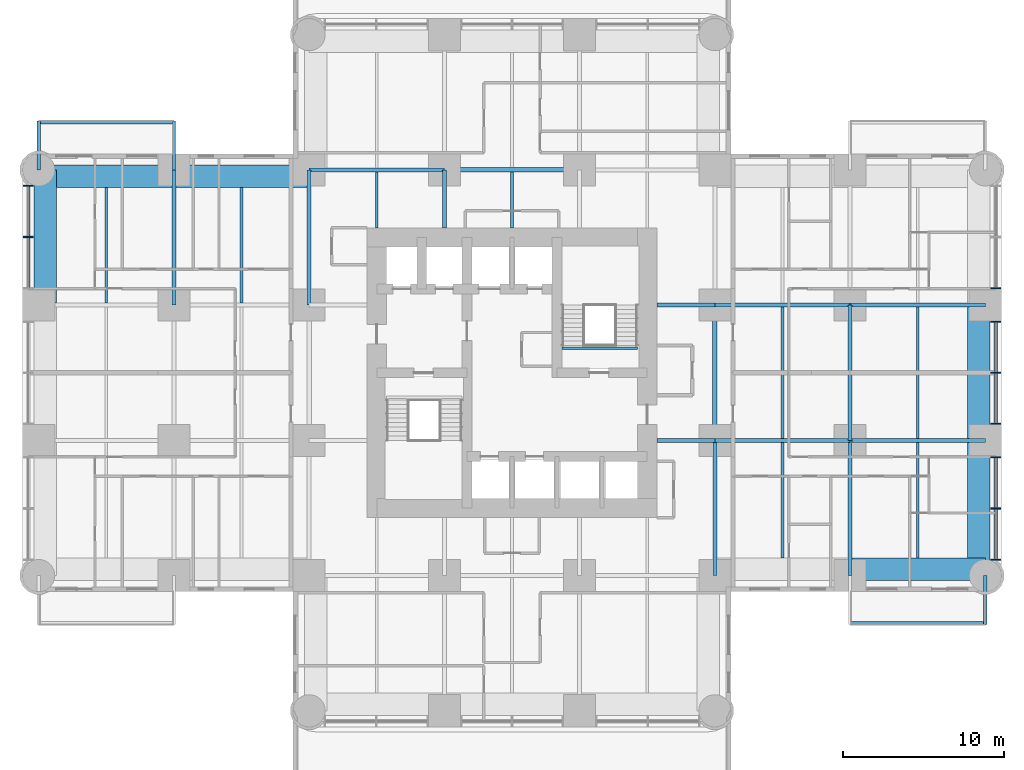
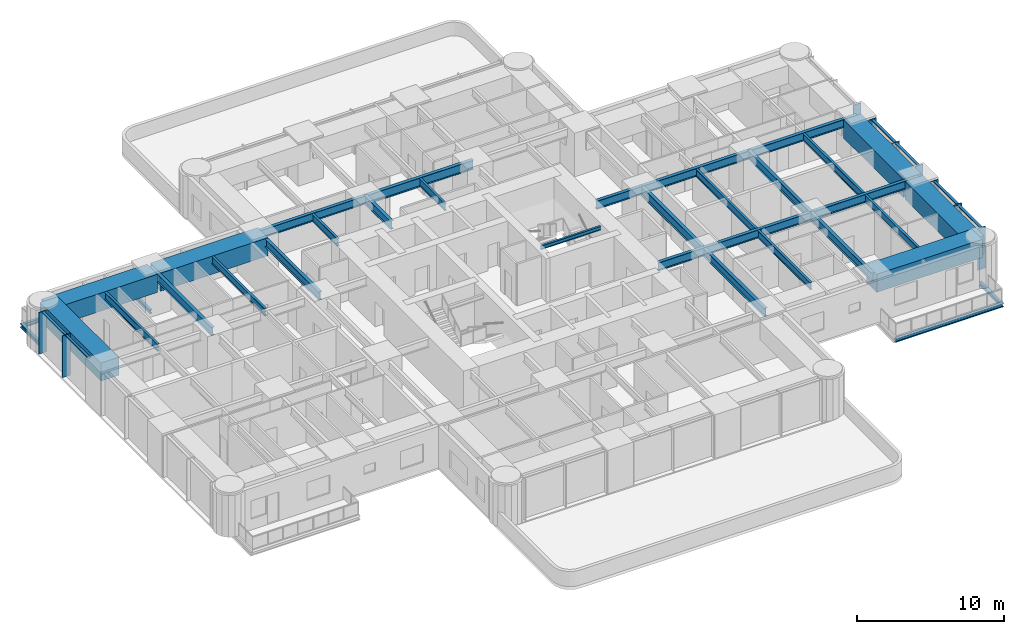
# One storey, part 3 of 14: 35 beams, 15 members, 2 elements without a shape of their own.
"""IFC4 building model written with IfcOpenShell, lengths in metres."""

from ifc_helpers import new_model, si_unit, direction, frame, origin, origin_2d, place, context, subcontext, project, spatial, rectangle, i_section, extrude, material, material_profile, profile_set, type_object, element, aggregate, save


model = new_model("IFC4")

# Units and contexts
model_context = context("Model", 3, precision=1e-05, world=origin(), true_north=direction((0.0, 1.0)))
body_context = subcontext(model_context, "Body", "Model", "MODEL_VIEW")
ifc_project = project(units=[si_unit("LENGTHUNIT", "METRE"), si_unit("AREAUNIT", "SQUARE_METRE"), si_unit("VOLUMEUNIT", "CUBIC_METRE"), si_unit("PLANEANGLEUNIT", "RADIAN"), si_unit("MASSUNIT", "GRAM", prefix="KILO")], contexts=[model_context])

# Site, building, storey
site_placement = place(None, origin())
site = spatial("IfcSite", under=ifc_project, at=site_placement, CompositionType="ELEMENT")
building_placement = place(site_placement, origin())
building = spatial("IfcBuilding", under=site, at=building_placement, Name="Torre Alcanfor", CompositionType="ELEMENT")
storey_placement = place(building_placement, frame((0.0, 0.0, 108.89990234375)))
storey = spatial("IfcBuildingStorey", under=building, at=storey_placement, Name="L27", CompositionType="ELEMENT", Elevation=108.89990234375)

# Beams
ifc_material_1 = material(Name="Steel ASTM A992 Grade 50", Category="steel")
ifc_material_profile_1 = material_profile(ifc_material_1, i_section(OverallWidth=0.205322265625, OverallDepth=0.309814453125, WebThickness=0.00927734375, FlangeThickness=0.016357421875, at=origin_2d()), Name="W12x50")
ifc_profile_set_1 = profile_set([ifc_material_profile_1], Name="Steel ASTM A992 Grade 50")
beam_type_1 = type_object("IfcBeamType", Name="Balcony cantilever beam W12x50", PredefinedType="BEAM", material=ifc_profile_set_1)
for number, where, z_axis, x_axis, name in (
    (1, (58.800048828125, 16.800048828125, -0.354736328125), (0.0, -1.0, 0.0), (1.0, 0.0, 0.0), "Balcony cantilever beam L27-E2 2"),
    (2, (8.39990234375, 42.0, -0.354736328125), (0.0, 1.0, 0.0), (-1.0, 0.0, 0.0), "Balcony cantilever beam L27-W2 1"),
    (3, (0.0, 42.0, -0.354736328125), (0.0, 1.0, 0.0), (-1.0, 0.0, 0.0), "Balcony cantilever beam L27-W2 2"),
):
    element("IfcBeam", number, at=place(storey_placement, frame(where, z_axis=z_axis, x_axis=x_axis)), inside=storey, type_object=beam_type_1, Name=name, PredefinedType="BEAM", context=body_context, shape_type="SweptSolid", body=[
        extrude(i_section(OverallWidth=0.205322265625, OverallDepth=0.309814453125, WebThickness=0.00927734375, FlangeThickness=0.016357421875, at=origin_2d()), origin(), (0.0, 0.0, 1.0), 3.050048828125),
    ])
ifc_material_2 = material(Name="Steel ASTM A992 Grade 50", Category="steel")
ifc_material_profile_2 = material_profile(ifc_material_2, i_section(OverallWidth=0.203369140625, OverallDepth=0.30224609375, WebThickness=0.007568359375, FlangeThickness=0.01318359375, at=origin_2d()), Name="W12x40")
ifc_profile_set_2 = profile_set([ifc_material_profile_2], Name="Steel ASTM A992 Grade 50")
beam_type_2 = type_object("IfcBeamType", Name="Balcony edge trimmer W12x40", PredefinedType="BEAM", material=ifc_profile_set_2)
beam_1_placement = place(storey_placement, frame((50.39990234375, 13.851806640625, -0.35107421875), z_axis=(1.0, 0.0, 0.0), x_axis=(0.0, 1.0, 0.0)))
element("IfcBeam", 4, at=beam_1_placement, inside=storey, type_object=beam_type_2, Name="Balcony edge trimmer L27-E2", PredefinedType="BEAM", context=body_context, shape_type="SweptSolid", body=[
    extrude(i_section(OverallWidth=0.203369140625, OverallDepth=0.30224609375, WebThickness=0.007568359375, FlangeThickness=0.01318359375, at=origin_2d()), origin(), (0.0, 0.0, 1.0), 8.400146484375),
])
beam_2_placement = place(storey_placement, frame((8.39990234375, 44.9482421875, -0.35107421875), z_axis=(-1.0, 0.0, 0.0), x_axis=(0.0, -1.0, 0.0)))
element("IfcBeam", 5, at=beam_2_placement, inside=storey, type_object=beam_type_2, Name="Balcony edge trimmer L27-W2", PredefinedType="BEAM", context=body_context, shape_type="SweptSolid", body=[
    extrude(i_section(OverallWidth=0.203369140625, OverallDepth=0.30224609375, WebThickness=0.007568359375, FlangeThickness=0.01318359375, at=origin_2d()), origin(), (0.0, 0.0, 1.0), 8.39990234375),
])

# Curtain wall, members
ifc_material_3 = material(Name="Aluminium and glass", Category="aluminium")
curtain_wall_type = type_object("IfcCurtainWallType", Name="CW-A unitised apartment glazing with vertical FIN", PredefinedType="NOTDEFINED", material=ifc_material_3)
curtain_wall_1_placement = place(storey_placement, origin())
curtain_wall_1 = element("IfcCurtainWall", 6, at=curtain_wall_1_placement, inside=storey, type_object=curtain_wall_type, Name="Curtain wall CW-A L27 2", PredefinedType="NOTDEFINED")
ifc_material_4 = material(Name="Bronze anodised aluminium", Category="aluminium")
ifc_material_profile_3 = material_profile(ifc_material_4, rectangle(XDim=0.60009765625, YDim=0.06494140625, at=origin_2d()), Name="CW-A mullion 65x600")
ifc_profile_set_3 = profile_set([ifc_material_profile_3], Name="Bronze anodised aluminium")
member_type_1 = type_object("IfcMemberType", Name="CW-A mullion with vertical FIN 65x600", PredefinedType="MULLION", material=ifc_profile_set_3)
member_1_placement = place(storey_placement, frame((-0.64990234375, 41.025390625, 0.0), z_axis=(0.0, 0.0, 1.0), x_axis=(1.0, 0.0, 0.0)))
member_1 = element("IfcMember", 7, at=member_1_placement, type_object=member_type_1, Name="CW-A mullion 1.1", PredefinedType="MULLION", context=body_context, shape_type="SweptSolid", body=[
    extrude(rectangle(XDim=0.60009765625, YDim=0.06494140625, at=origin_2d()), origin(), (0.0, 0.0, 1.0), 3.4501953125),
])
member_2_placement = place(storey_placement, frame((-0.64990234375, 37.83154296875, 0.0), z_axis=(0.0, 0.0, 1.0), x_axis=(1.0, 0.0, 0.0)))
member_2 = element("IfcMember", 8, at=member_2_placement, type_object=member_type_1, Name="CW-A mullion 1.2", PredefinedType="MULLION", context=body_context, shape_type="SweptSolid", body=[
    extrude(rectangle(XDim=0.60009765625, YDim=0.06494140625, at=origin_2d()), origin(), (0.0, 0.0, 1.0), 3.4501953125),
])

curtain_wall_2_placement = place(storey_placement, origin())
curtain_wall_2 = element("IfcCurtainWall", 9, at=curtain_wall_2_placement, inside=storey, type_object=curtain_wall_type, Name="Curtain wall CW-A L27 8", PredefinedType="NOTDEFINED")
member_3_placement = place(storey_placement, frame((59.449951171875, 17.7744140625, 0.0), z_axis=(0.0, 0.0, 1.0), x_axis=(-1.0, 0.0, 0.0)))
member_3 = element("IfcMember", 10, at=member_3_placement, type_object=member_type_1, Name="CW-A mullion 1.1", PredefinedType="MULLION", context=body_context, shape_type="SweptSolid", body=[
    extrude(rectangle(XDim=0.60009765625, YDim=0.06494140625, at=origin_2d()), origin(), (0.0, 0.0, 1.0), 3.4501953125),
])
member_4_placement = place(storey_placement, frame((59.449951171875, 20.968505859375, 0.0), z_axis=(0.0, 0.0, 1.0), x_axis=(-1.0, 0.0, 0.0)))
member_4 = element("IfcMember", 11, at=member_4_placement, type_object=member_type_1, Name="CW-A mullion 1.2", PredefinedType="MULLION", context=body_context, shape_type="SweptSolid", body=[
    extrude(rectangle(XDim=0.60009765625, YDim=0.06494140625, at=origin_2d()), origin(), (0.0, 0.0, 1.0), 3.4501953125),
])
member_5_placement = place(storey_placement, frame((59.449951171875, 24.16259765625, 0.0), z_axis=(0.0, 0.0, 1.0), x_axis=(-1.0, 0.0, 0.0)))
member_5 = element("IfcMember", 12, at=member_5_placement, type_object=member_type_1, Name="CW-A mullion 1.3", PredefinedType="MULLION", context=body_context, shape_type="SweptSolid", body=[
    extrude(rectangle(XDim=0.60009765625, YDim=0.06494140625, at=origin_2d()), origin(), (0.0, 0.0, 1.0), 3.4501953125),
])
member_6_placement = place(storey_placement, frame((59.449951171875, 26.237548828125, 0.0), z_axis=(0.0, 0.0, 1.0), x_axis=(-1.0, 0.0, 0.0)))
member_6 = element("IfcMember", 13, at=member_6_placement, type_object=member_type_1, Name="CW-A mullion 2.1", PredefinedType="MULLION", context=body_context, shape_type="SweptSolid", body=[
    extrude(rectangle(XDim=0.60009765625, YDim=0.06494140625, at=origin_2d()), origin(), (0.0, 0.0, 1.0), 3.4501953125),
])
member_7_placement = place(storey_placement, frame((59.449951171875, 29.39990234375, 0.0), z_axis=(0.0, 0.0, 1.0), x_axis=(-1.0, 0.0, 0.0)))
member_7 = element("IfcMember", 14, at=member_7_placement, type_object=member_type_1, Name="CW-A mullion 2.2", PredefinedType="MULLION", context=body_context, shape_type="SweptSolid", body=[
    extrude(rectangle(XDim=0.60009765625, YDim=0.06494140625, at=origin_2d()), origin(), (0.0, 0.0, 1.0), 3.4501953125),
])
member_8_placement = place(storey_placement, frame((59.449951171875, 32.5625, 0.0), z_axis=(0.0, 0.0, 1.0), x_axis=(-1.0, 0.0, 0.0)))
member_8 = element("IfcMember", 15, at=member_8_placement, type_object=member_type_1, Name="CW-A mullion 2.3", PredefinedType="MULLION", context=body_context, shape_type="SweptSolid", body=[
    extrude(rectangle(XDim=0.60009765625, YDim=0.06494140625, at=origin_2d()), origin(), (0.0, 0.0, 1.0), 3.4501953125),
])
member_9_placement = place(storey_placement, frame((59.449951171875, 34.637451171875, 0.0), z_axis=(0.0, 0.0, 1.0), x_axis=(-1.0, 0.0, 0.0)))
member_9 = element("IfcMember", 16, at=member_9_placement, type_object=member_type_1, Name="CW-A mullion 3.1", PredefinedType="MULLION", context=body_context, shape_type="SweptSolid", body=[
    extrude(rectangle(XDim=0.60009765625, YDim=0.06494140625, at=origin_2d()), origin(), (0.0, 0.0, 1.0), 3.4501953125),
])

# Member
ifc_material_5 = material(Name="Extruded aluminium", Category="aluminium")
ifc_material_profile_4 = material_profile(ifc_material_5, rectangle(XDim=0.199951171875, YDim=0.06494140625, at=origin_2d()), Name="CW-A transom 200x65")
ifc_profile_set_4 = profile_set([ifc_material_profile_4], Name="Extruded aluminium")
member_type_2 = type_object("IfcMemberType", Name="CW-A transom 65x200", PredefinedType="USERDEFINED", material=ifc_profile_set_4)
member_10_placement = place(storey_placement, frame((-0.64990234375, 40.992919921875, 3.41748046875), z_axis=(0.0, -1.0, 0.0), x_axis=(1.0, 0.0, 0.0)))
member_10 = element("IfcMember", 17, at=member_10_placement, type_object=member_type_2, Name="CW-A transom 1.1.2", ObjectType="TRANSOM", PredefinedType="USERDEFINED", context=body_context, shape_type="SweptSolid", body=[
    extrude(rectangle(XDim=0.199951171875, YDim=0.06494140625, at=origin_2d()), origin(), (0.0, 0.0, 1.0), 3.12890625),
])

member_11_placement = place(storey_placement, frame((-0.64990234375, 37.799072265625, 3.41748046875), z_axis=(0.0, -1.0, 0.0), x_axis=(1.0, 0.0, 0.0)))
member_11 = element("IfcMember", 18, at=member_11_placement, type_object=member_type_2, Name="CW-A transom 1.2.2", ObjectType="TRANSOM", PredefinedType="USERDEFINED", context=body_context, shape_type="SweptSolid", body=[
    extrude(rectangle(XDim=0.199951171875, YDim=0.06494140625, at=origin_2d()), origin(), (0.0, 0.0, 1.0), 3.129150390625),
])

aggregate(curtain_wall_1, [member_1, member_2, member_10, member_11])

member_12_placement = place(storey_placement, frame((59.449951171875, 17.806884765625, 3.41748046875), z_axis=(0.0, 1.0, 0.0), x_axis=(-1.0, 0.0, 0.0)))
member_12 = element("IfcMember", 19, at=member_12_placement, type_object=member_type_2, Name="CW-A transom 1.1.2", ObjectType="TRANSOM", PredefinedType="USERDEFINED", context=body_context, shape_type="SweptSolid", body=[
    extrude(rectangle(XDim=0.199951171875, YDim=0.06494140625, at=origin_2d()), origin(), (0.0, 0.0, 1.0), 3.129150390625),
])

member_13_placement = place(storey_placement, frame((59.449951171875, 21.0009765625, 3.41748046875), z_axis=(0.0, 1.0, 0.0), x_axis=(-1.0, 0.0, 0.0)))
member_13 = element("IfcMember", 20, at=member_13_placement, type_object=member_type_2, Name="CW-A transom 1.2.2", ObjectType="TRANSOM", PredefinedType="USERDEFINED", context=body_context, shape_type="SweptSolid", body=[
    extrude(rectangle(XDim=0.199951171875, YDim=0.06494140625, at=origin_2d()), origin(), (0.0, 0.0, 1.0), 3.12890625),
])

member_14_placement = place(storey_placement, frame((59.449951171875, 26.27001953125, 3.41748046875), z_axis=(0.0, 1.0, 0.0), x_axis=(-1.0, 0.0, 0.0)))
member_14 = element("IfcMember", 21, at=member_14_placement, type_object=member_type_2, Name="CW-A transom 2.1.2", ObjectType="TRANSOM", PredefinedType="USERDEFINED", context=body_context, shape_type="SweptSolid", body=[
    extrude(rectangle(XDim=0.199951171875, YDim=0.06494140625, at=origin_2d()), origin(), (0.0, 0.0, 1.0), 3.097412109375),
])

member_15_placement = place(storey_placement, frame((59.449951171875, 29.4326171875, 3.41748046875), z_axis=(0.0, 1.0, 0.0), x_axis=(-1.0, 0.0, 0.0)))
member_15 = element("IfcMember", 22, at=member_15_placement, type_object=member_type_2, Name="CW-A transom 2.2.2", ObjectType="TRANSOM", PredefinedType="USERDEFINED", context=body_context, shape_type="SweptSolid", body=[
    extrude(rectangle(XDim=0.199951171875, YDim=0.06494140625, at=origin_2d()), origin(), (0.0, 0.0, 1.0), 3.097412109375),
])

aggregate(curtain_wall_2, [member_3, member_4, member_5, member_12, member_13, member_6, member_7, member_8, member_14, member_15, member_9])

# Beams
ifc_material_6 = material(Name="Steel ASTM A992 Grade 50", Category="steel")
ifc_material_profile_5 = material_profile(ifc_material_6, i_section(OverallWidth=0.25390625, OverallDepth=0.683349609375, WebThickness=0.012451171875, FlangeThickness=0.01904296875, at=origin_2d()), Name="W27x94")
ifc_profile_set_5 = profile_set([ifc_material_profile_5], Name="Steel ASTM A992 Grade 50")
beam_type_3 = type_object("IfcBeamType", Name="Girder W27x94", PredefinedType="BEAM", material=ifc_profile_set_5)
beam_3_placement = place(storey_placement, frame((42.0, 25.199951171875, 3.1083984375), z_axis=(1.0, 0.0, 0.0), x_axis=(0.0, 1.0, 0.0)))
element("IfcBeam", 23, at=beam_3_placement, inside=storey, type_object=beam_type_3, Name="Beam 6F-7F under L28", PredefinedType="BEAM", context=body_context, shape_type="SweptSolid", body=[
    extrude(i_section(OverallWidth=0.25390625, OverallDepth=0.683349609375, WebThickness=0.012451171875, FlangeThickness=0.01904296875, at=origin_2d()), origin(), (0.0, 0.0, 1.0), 8.39990234375),
])
beam_4_placement = place(storey_placement, frame((50.39990234375, 25.199951171875, 3.1083984375), z_axis=(1.0, 0.0, 0.0), x_axis=(0.0, 1.0, 0.0)))
element("IfcBeam", 24, at=beam_4_placement, inside=storey, type_object=beam_type_3, Name="Beam 7F-8F under L28", PredefinedType="BEAM", context=body_context, shape_type="SweptSolid", body=[
    extrude(i_section(OverallWidth=0.25390625, OverallDepth=0.683349609375, WebThickness=0.012451171875, FlangeThickness=0.01904296875, at=origin_2d()), origin(), (0.0, 0.0, 1.0), 8.400146484375),
])
beam_5_placement = place(storey_placement, frame((42.0, 33.60009765625, 3.1083984375), z_axis=(1.0, 0.0, 0.0), x_axis=(0.0, 1.0, 0.0)))
element("IfcBeam", 25, at=beam_5_placement, inside=storey, type_object=beam_type_3, Name="Beam 6G-7G under L28", PredefinedType="BEAM", context=body_context, shape_type="SweptSolid", body=[
    extrude(i_section(OverallWidth=0.25390625, OverallDepth=0.683349609375, WebThickness=0.012451171875, FlangeThickness=0.01904296875, at=origin_2d()), origin(), (0.0, 0.0, 1.0), 8.39990234375),
])
beam_6_placement = place(storey_placement, frame((50.39990234375, 33.60009765625, 3.1083984375), z_axis=(1.0, 0.0, 0.0), x_axis=(0.0, 1.0, 0.0)))
element("IfcBeam", 26, at=beam_6_placement, inside=storey, type_object=beam_type_3, Name="Beam 7G-8G under L28", PredefinedType="BEAM", context=body_context, shape_type="SweptSolid", body=[
    extrude(i_section(OverallWidth=0.25390625, OverallDepth=0.683349609375, WebThickness=0.012451171875, FlangeThickness=0.01904296875, at=origin_2d()), origin(), (0.0, 0.0, 1.0), 8.400146484375),
])
for number, where, z_axis, x_axis, name in (
    (27, (16.800048828125, 42.0, 3.1083984375), (1.0, 0.0, 0.0), (0.0, 1.0, 0.0), "Beam 3H-4H under L28"),
    (28, (8.39990234375, 33.60009765625, 3.1083984375), (0.0, 1.0, 0.0), (-1.0, 0.0, 0.0), "Beam 2G-2H under L28"),
    (29, (16.800048828125, 33.60009765625, 3.1083984375), (0.0, 1.0, 0.0), (-1.0, 0.0, 0.0), "Beam 3G-3H under L28"),
    (30, (42.0, 16.800048828125, 3.1083984375), (0.0, 1.0, 0.0), (-1.0, 0.0, 0.0), "Beam 6E-6F under L28"),
    (31, (50.39990234375, 16.800048828125, 3.1083984375), (0.0, 1.0, 0.0), (-1.0, 0.0, 0.0), "Beam 7E-7F under L28"),
):
    element("IfcBeam", number, at=place(storey_placement, frame(where, z_axis=z_axis, x_axis=x_axis)), inside=storey, type_object=beam_type_3, Name=name, PredefinedType="BEAM", context=body_context, shape_type="SweptSolid", body=[
        extrude(i_section(OverallWidth=0.25390625, OverallDepth=0.683349609375, WebThickness=0.012451171875, FlangeThickness=0.01904296875, at=origin_2d()), origin(), (0.0, 0.0, 1.0), 8.39990234375),
    ])
beam_7_placement = place(storey_placement, frame((50.39990234375, 25.199951171875, 3.1083984375), z_axis=(0.0, 1.0, 0.0), x_axis=(-1.0, 0.0, 0.0)))
element("IfcBeam", 32, at=beam_7_placement, inside=storey, type_object=beam_type_3, Name="Beam 7F-7G under L28", PredefinedType="BEAM", context=body_context, shape_type="SweptSolid", body=[
    extrude(i_section(OverallWidth=0.25390625, OverallDepth=0.683349609375, WebThickness=0.012451171875, FlangeThickness=0.01904296875, at=origin_2d()), origin(), (0.0, 0.0, 1.0), 8.400146484375),
])
ifc_material_7 = material(Name="Steel ASTM A992 Grade 50", Category="steel")
ifc_material_profile_6 = material_profile(ifc_material_7, i_section(OverallWidth=0.2666015625, OverallDepth=0.7568359375, WebThickness=0.013916015625, FlangeThickness=0.019287109375, at=origin_2d()), Name="W30x108")
ifc_profile_set_6 = profile_set([ifc_material_profile_6], Name="Steel ASTM A992 Grade 50")
beam_type_4 = type_object("IfcBeamType", Name="Girder W30x108", PredefinedType="BEAM", material=ifc_profile_set_6)
for number, where, z_axis, x_axis, name in (
    (33, (25.199951171875, 42.0, 3.071533203125), (1.0, 0.0, 0.0), (0.0, 1.0, 0.0), "Beam 4H-5H under L28"),
    (34, (42.0, 25.199951171875, 3.071533203125), (0.0, 1.0, 0.0), (-1.0, 0.0, 0.0), "Beam 6F-6G under L28"),
):
    element("IfcBeam", number, at=place(storey_placement, frame(where, z_axis=z_axis, x_axis=x_axis)), inside=storey, type_object=beam_type_4, Name=name, PredefinedType="BEAM", context=body_context, shape_type="SweptSolid", body=[
        extrude(i_section(OverallWidth=0.2666015625, OverallDepth=0.7568359375, WebThickness=0.013916015625, FlangeThickness=0.019287109375, at=origin_2d()), origin(), (0.0, 0.0, 1.0), 8.400146484375),
    ])
ifc_material_8 = material(Name="Steel ASTM A992 Grade 50", Category="steel")
ifc_material_profile_7 = material_profile(ifc_material_8, i_section(OverallWidth=0.25390625, OverallDepth=0.683349609375, WebThickness=0.012451171875, FlangeThickness=0.01904296875, at=origin_2d()), Name="W27x94")
ifc_profile_set_7 = profile_set([ifc_material_profile_7], Name="Steel ASTM A992 Grade 50")
beam_type_5 = type_object("IfcBeamType", Name="Girder, part bay W27x94", PredefinedType="BEAM", material=ifc_profile_set_7)
for number, where, z_axis, x_axis, name in (
    (35, (25.199951171875, 42.0, 3.1083984375), (0.0, -1.0, 0.0), (1.0, 0.0, 0.0), "Beam 4H-438_4 under L28"),
    (36, (42.0, 25.199951171875, 3.1083984375), (-1.0, 0.0, 0.0), (0.0, -1.0, 0.0), "Beam 6F-38_4F under L28"),
    (37, (42.0, 33.60009765625, 3.1083984375), (-1.0, 0.0, 0.0), (0.0, -1.0, 0.0), "Beam 6G-38_4G under L28"),
):
    element("IfcBeam", number, at=place(storey_placement, frame(where, z_axis=z_axis, x_axis=x_axis)), inside=storey, type_object=beam_type_5, Name=name, PredefinedType="BEAM", context=body_context, shape_type="SweptSolid", body=[
        extrude(i_section(OverallWidth=0.25390625, OverallDepth=0.683349609375, WebThickness=0.012451171875, FlangeThickness=0.01904296875, at=origin_2d()), origin(), (0.0, 0.0, 1.0), 3.60009765625),
    ])
ifc_material_9 = material(Name="Concrete f'c 70 MPa", Category="concrete")
ifc_material_profile_8 = material_profile(ifc_material_9, rectangle(XDim=1.39990234375, YDim=1.5, at=origin_2d()), Name="1400x1500")
ifc_profile_set_8 = profile_set([ifc_material_profile_8], Name="Concrete f'c 70 MPa")
beam_type_6 = type_object("IfcBeamType", Name="RC perimeter beam 1400x1500", PredefinedType="BEAM", material=ifc_profile_set_8)
for number, where, z_axis, x_axis, name in (
    (38, (50.527099609375, 17.199951171875, 2.7001953125), (1.0, 0.0, 0.0), (0.0, 1.0, 0.0), "Beam 7E-8E under L28"),
    (39, (0.0, 41.60009765625, 2.7001953125), (1.0, 0.0, 0.0), (0.0, 1.0, 0.0), "Beam 1H-2H under L28"),
):
    element("IfcBeam", number, at=place(storey_placement, frame(where, z_axis=z_axis, x_axis=x_axis)), inside=storey, type_object=beam_type_6, Name=name, PredefinedType="BEAM", context=body_context, shape_type="SweptSolid", body=[
        extrude(rectangle(XDim=1.39990234375, YDim=1.5, at=origin_2d()), origin(), (0.0, 0.0, 1.0), 8.27294921875),
    ])
beam_8_placement = place(storey_placement, frame((8.527099609375, 41.60009765625, 2.7001953125), z_axis=(1.0, 0.0, 0.0), x_axis=(0.0, 1.0, 0.0)))
element("IfcBeam", 40, at=beam_8_placement, inside=storey, type_object=beam_type_6, Name="Beam 2H-3H under L28", PredefinedType="BEAM", context=body_context, shape_type="SweptSolid", body=[
    extrude(rectangle(XDim=1.39990234375, YDim=1.5, at=origin_2d()), origin(), (0.0, 0.0, 1.0), 8.39990234375),
])
for number, where, z_axis, x_axis, name in (
    (41, (0.39990234375, 33.72705078125, 2.7001953125), (0.0, 1.0, 0.0), (-1.0, 0.0, 0.0), "Beam 1G-1H under L28"),
    (42, (58.39990234375, 16.800048828125, 2.7001953125), (0.0, 1.0, 0.0), (-1.0, 0.0, 0.0), "Beam 8E-8F under L28"),
):
    element("IfcBeam", number, at=place(storey_placement, frame(where, z_axis=z_axis, x_axis=x_axis)), inside=storey, type_object=beam_type_6, Name=name, PredefinedType="BEAM", context=body_context, shape_type="SweptSolid", body=[
        extrude(rectangle(XDim=1.39990234375, YDim=1.5, at=origin_2d()), origin(), (0.0, 0.0, 1.0), 8.27294921875),
    ])
beam_9_placement = place(storey_placement, frame((58.39990234375, 25.326904296875, 2.7001953125), z_axis=(0.0, 1.0, 0.0), x_axis=(-1.0, 0.0, 0.0)))
element("IfcBeam", 43, at=beam_9_placement, inside=storey, type_object=beam_type_6, Name="Beam 8F-8G under L28", PredefinedType="BEAM", context=body_context, shape_type="SweptSolid", body=[
    extrude(rectangle(XDim=1.39990234375, YDim=1.5, at=origin_2d()), origin(), (0.0, 0.0, 1.0), 8.14599609375),
])
ifc_material_10 = material(Name="Steel ASTM A992 Grade 50", Category="steel")
ifc_material_profile_9 = material_profile(ifc_material_10, i_section(OverallWidth=0.1787109375, OverallDepth=0.60205078125, WebThickness=0.010986328125, FlangeThickness=0.014892578125, at=origin_2d()), Name="W24x62")
ifc_profile_set_9 = profile_set([ifc_material_profile_9], Name="Steel ASTM A992 Grade 50")
beam_type_7 = type_object("IfcBeamType", Name="Secondary beam W24x62", PredefinedType="BEAM", material=ifc_profile_set_9)
for number, where, z_axis, x_axis, name in (
    (44, (4.199951171875, 33.72705078125, 3.149169921875), (0.0, 1.0, 0.0), (-1.0, 0.0, 0.0), "Beam 4_2G-4_2H under L28"),
    (45, (12.60009765625, 33.72705078125, 3.149169921875), (0.0, 1.0, 0.0), (-1.0, 0.0, 0.0), "Beam 12_6G-12_6H under L28"),
):
    element("IfcBeam", number, at=place(storey_placement, frame(where, z_axis=z_axis, x_axis=x_axis)), inside=storey, type_object=beam_type_7, Name=name, PredefinedType="BEAM", context=body_context, shape_type="SweptSolid", body=[
        extrude(i_section(OverallWidth=0.1787109375, OverallDepth=0.60205078125, WebThickness=0.010986328125, FlangeThickness=0.014892578125, at=origin_2d()), origin(), (0.0, 0.0, 1.0), 7.1728515625),
    ])
beam_10_placement = place(storey_placement, frame((46.199951171875, 17.89990234375, 3.149169921875), z_axis=(0.0, 1.0, 0.0), x_axis=(-1.0, 0.0, 0.0)))
element("IfcBeam", 46, at=beam_10_placement, inside=storey, type_object=beam_type_7, Name="Beam 46_2E-46_2F under L28", PredefinedType="BEAM", context=body_context, shape_type="SweptSolid", body=[
    extrude(i_section(OverallWidth=0.1787109375, OverallDepth=0.60205078125, WebThickness=0.010986328125, FlangeThickness=0.014892578125, at=origin_2d()), origin(), (0.0, 0.0, 1.0), 7.173095703125),
])
beam_11_placement = place(storey_placement, frame((46.199951171875, 25.326904296875, 3.149169921875), z_axis=(0.0, 1.0, 0.0), x_axis=(-1.0, 0.0, 0.0)))
element("IfcBeam", 47, at=beam_11_placement, inside=storey, type_object=beam_type_7, Name="Beam 46_2F-46_2G under L28", PredefinedType="BEAM", context=body_context, shape_type="SweptSolid", body=[
    extrude(i_section(OverallWidth=0.1787109375, OverallDepth=0.60205078125, WebThickness=0.010986328125, FlangeThickness=0.014892578125, at=origin_2d()), origin(), (0.0, 0.0, 1.0), 8.14599609375),
])
beam_12_placement = place(storey_placement, frame((54.60009765625, 17.89990234375, 3.149169921875), z_axis=(0.0, 1.0, 0.0), x_axis=(-1.0, 0.0, 0.0)))
element("IfcBeam", 48, at=beam_12_placement, inside=storey, type_object=beam_type_7, Name="Beam 54_6E-54_6F under L28", PredefinedType="BEAM", context=body_context, shape_type="SweptSolid", body=[
    extrude(i_section(OverallWidth=0.1787109375, OverallDepth=0.60205078125, WebThickness=0.010986328125, FlangeThickness=0.014892578125, at=origin_2d()), origin(), (0.0, 0.0, 1.0), 7.173095703125),
])
beam_13_placement = place(storey_placement, frame((54.60009765625, 25.326904296875, 3.149169921875), z_axis=(0.0, 1.0, 0.0), x_axis=(-1.0, 0.0, 0.0)))
element("IfcBeam", 49, at=beam_13_placement, inside=storey, type_object=beam_type_7, Name="Beam 54_6F-54_6G under L28", PredefinedType="BEAM", context=body_context, shape_type="SweptSolid", body=[
    extrude(i_section(OverallWidth=0.1787109375, OverallDepth=0.60205078125, WebThickness=0.010986328125, FlangeThickness=0.014892578125, at=origin_2d()), origin(), (0.0, 0.0, 1.0), 8.14599609375),
])
ifc_material_11 = material(Name="Steel ASTM A992 Grade 50", Category="steel")
ifc_material_profile_10 = material_profile(ifc_material_11, i_section(OverallWidth=0.1787109375, OverallDepth=0.60205078125, WebThickness=0.010986328125, FlangeThickness=0.014892578125, at=origin_2d()), Name="W24x62")
ifc_profile_set_10 = profile_set([ifc_material_profile_10], Name="Steel ASTM A992 Grade 50")
beam_type_8 = type_object("IfcBeamType", Name="Secondary beam, part bay W24x62", PredefinedType="BEAM", material=ifc_profile_set_10)
beam_14_placement = place(storey_placement, frame((21.0, 38.39990234375, 3.149169921875), z_axis=(0.0, 1.0, 0.0), x_axis=(-1.0, 0.0, 0.0)))
element("IfcBeam", 50, at=beam_14_placement, inside=storey, type_object=beam_type_8, Name="Beam 2138_4-21H under L28", PredefinedType="BEAM", context=body_context, shape_type="SweptSolid", body=[
    extrude(i_section(OverallWidth=0.1787109375, OverallDepth=0.60205078125, WebThickness=0.010986328125, FlangeThickness=0.014892578125, at=origin_2d()), origin(), (0.0, 0.0, 1.0), 3.47314453125),
])
beam_15_placement = place(storey_placement, frame((29.39990234375, 38.39990234375, 3.149169921875), z_axis=(0.0, 1.0, 0.0), x_axis=(-1.0, 0.0, 0.0)))
element("IfcBeam", 51, at=beam_15_placement, inside=storey, type_object=beam_type_8, Name="Beam 29_438_4-29_4H under L28", PredefinedType="BEAM", context=body_context, shape_type="SweptSolid", body=[
    extrude(i_section(OverallWidth=0.1787109375, OverallDepth=0.60205078125, WebThickness=0.010986328125, FlangeThickness=0.014892578125, at=origin_2d()), origin(), (0.0, 0.0, 1.0), 3.467041015625),
])
ifc_material_12 = material(Name="Steel ASTM A992 Grade 50", Category="steel")
ifc_material_profile_11 = material_profile(ifc_material_12, i_section(OverallWidth=0.164794921875, OverallDepth=0.309814453125, WebThickness=0.005859375, FlangeThickness=0.009765625, at=origin_2d()), Name="W12x26")
ifc_profile_set_11 = profile_set([ifc_material_profile_11], Name="Steel ASTM A992 Grade 50")
beam_type_9 = type_object("IfcBeamType", Name="Stair landing beam W12x26", PredefinedType="BEAM", material=ifc_profile_set_11)
beam_16_placement = place(storey_placement, frame((32.5, 30.91259765625, 3.2451171875), z_axis=(1.0, 0.0, 0.0), x_axis=(0.0, 1.0, 0.0)))
element("IfcBeam", 52, at=beam_16_placement, inside=storey, type_object=beam_type_9, Name="Landing trimmer S2 L28", PredefinedType="BEAM", context=body_context, shape_type="SweptSolid", body=[
    extrude(i_section(OverallWidth=0.164794921875, OverallDepth=0.309814453125, WebThickness=0.005859375, FlangeThickness=0.009765625, at=origin_2d()), origin(), (0.0, 0.0, 1.0), 4.699951171875),
])

save(model, "model.ifc")
